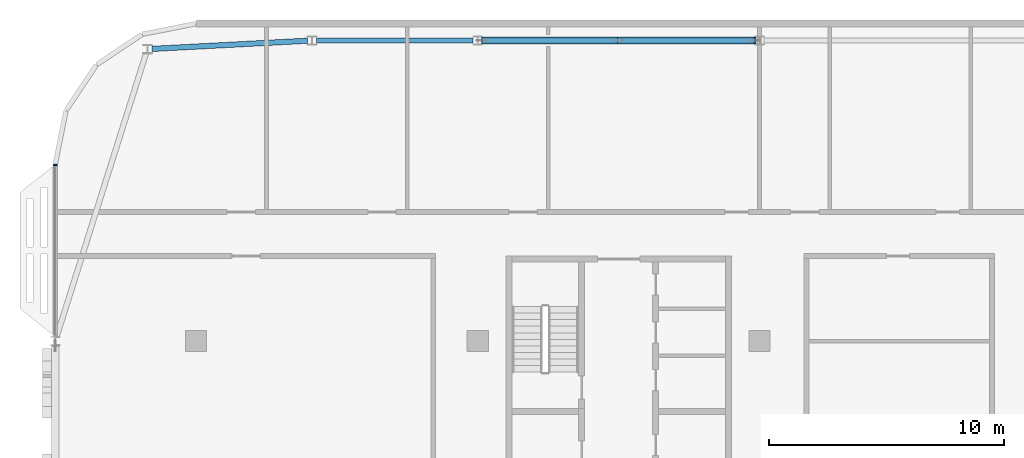
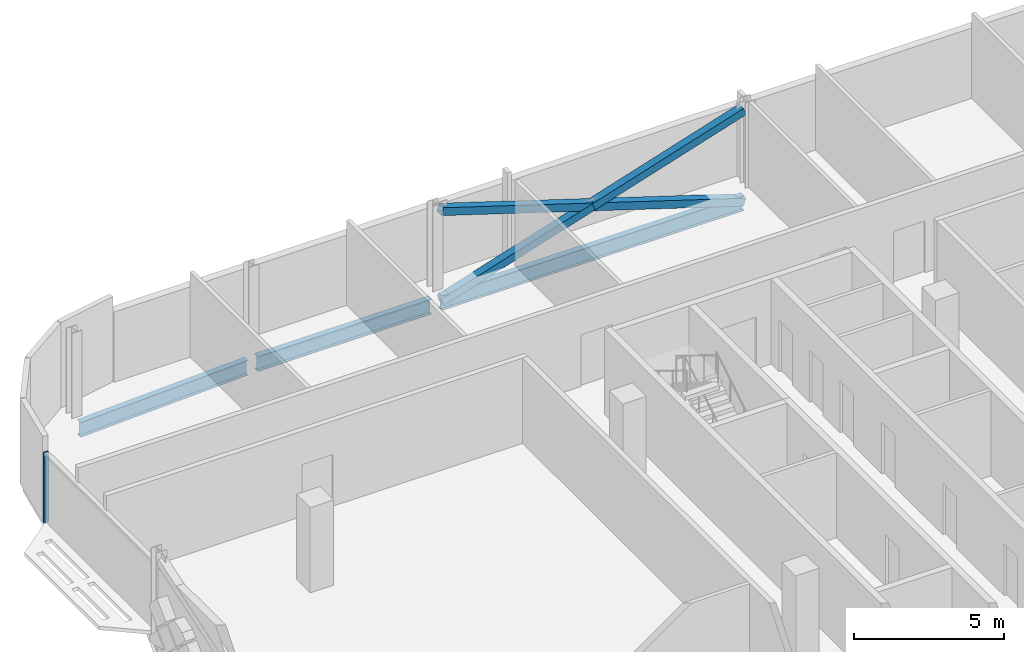
# One storey, part 8 of 29: 4 members, 3 beams, 1 element without a shape of its own.
"""IFC4 building model written with IfcOpenShell, lengths in metres."""

from ifc_helpers import new_model, si_unit, direction, frame, origin, origin_2d, place, context, subcontext, project, spatial, rectangle, hollow_rectangle, i_section, extrude, material, material_profile, profile_set, type_object, element, aggregate, save


model = new_model("IFC4")

# Units and contexts
model_context = context("Model", 3, precision=1e-05, world=origin(), true_north=direction((0.0, 1.0)))
body_context = subcontext(model_context, "Body", "Model", "MODEL_VIEW")
ifc_project = project(units=[si_unit("LENGTHUNIT", "METRE"), si_unit("AREAUNIT", "SQUARE_METRE"), si_unit("VOLUMEUNIT", "CUBIC_METRE"), si_unit("PLANEANGLEUNIT", "RADIAN"), si_unit("MASSUNIT", "GRAM", prefix="KILO")], contexts=[model_context])

# Site, building, storey
site_placement = place(None, origin())
site = spatial("IfcSite", under=ifc_project, at=site_placement, CompositionType="ELEMENT")
building_placement = place(site_placement, origin())
building = spatial("IfcBuilding", under=site, at=building_placement, Name="Mahtab Terrace Research Tower", CompositionType="ELEMENT")
storey_placement = place(building_placement, frame((0.0, 0.0, 274.699951171875)))
storey = spatial("IfcBuildingStorey", under=building, at=storey_placement, Name="L67", CompositionType="ELEMENT", Elevation=274.699951171875)

# Members
ifc_material_1 = material(Name="Steel ASTM A500 Gr C", Category="steel")
ifc_material_profile_1 = material_profile(ifc_material_1, hollow_rectangle(XDim=0.3046875, YDim=0.3046875, WallThickness=0.015869140625, at=origin_2d()), Name="HSS12X12X5/8")
ifc_profile_set_1 = profile_set([ifc_material_profile_1], Name="Steel ASTM A500 Gr C")
member_type_1 = type_object("IfcMemberType", Name="HSS 12x12x5/8 brace XB121258", PredefinedType="BRACE", material=ifc_profile_set_1)
member_1_placement = place(storey_placement, frame((-18.19677734375, 24.306884765625, -0.5810546875), z_axis=(-0.953344149173, 0.0, 0.301885629399), x_axis=(0.0, -1.0, 0.0)))
element("IfcMember", 1, at=member_1_placement, inside=storey, type_object=member_type_1, Name="Exoskeleton brace L67 07 a", PredefinedType="BRACE", context=body_context, shape_type="SweptSolid", body=[
    extrude(hollow_rectangle(XDim=0.3046875, YDim=0.3046875, WallThickness=0.015869140625, at=origin_2d()), origin(), (0.0, 0.0, 1.0), 12.174560546875),
])
for number, where, z_axis, x_axis, name in (
    (2, (-29.80322265625, 24.306884765625, -0.5810546875), (0.953344149173, 0.0, 0.301885629399), (0.0, 1.0, 0.0), "Exoskeleton brace L67 07 b1"),
    (3, (-24.0, 24.306884765625, 1.256591796875), (0.953344149173, 0.0, 0.301885629399), (0.0, 1.0, 0.0), "Exoskeleton brace L67 07 b2"),
):
    element("IfcMember", number, at=place(storey_placement, frame(where, z_axis=z_axis, x_axis=x_axis)), inside=storey, type_object=member_type_1, Name=name, PredefinedType="BRACE", context=body_context, shape_type="SweptSolid", body=[
        extrude(hollow_rectangle(XDim=0.3046875, YDim=0.3046875, WallThickness=0.015869140625, at=origin_2d()), origin(), (0.0, 0.0, 1.0), 6.087158203125),
    ])

# Curtain wall, member
ifc_material_2 = material(Name="Office ribbon curtain wall")
curtain_wall_type = type_object("IfcCurtainWallType", Name="Office ribbon curtain wall", PredefinedType="NOTDEFINED", material=ifc_material_2)
curtain_wall_placement = place(storey_placement, origin())
curtain_wall = element("IfcCurtainWall", 4, at=curtain_wall_placement, inside=storey, type_object=curtain_wall_type, Name="EN.L67.8.8", PredefinedType="NOTDEFINED")
ifc_material_3 = material(Name="Natural anodised aluminium", Category="aluminium")
ifc_material_profile_2 = material_profile(ifc_material_3, rectangle(XDim=0.179931640625, YDim=0.06005859375, at=origin_2d()), Name="MULLION 60x180")
ifc_profile_set_2 = profile_set([ifc_material_profile_2], Name="Natural anodised aluminium")
member_type_2 = type_object("IfcMemberType", Name="Office ribbon curtain wall mullion", PredefinedType="MULLION", material=ifc_profile_set_2)
member_2_placement = place(storey_placement, frame((-48.0, 18.9990234375, 0.0), z_axis=(0.0, 0.0, 1.0), x_axis=(1.0, 0.0, 0.0)))
member_2 = element("IfcMember", 5, at=member_2_placement, type_object=member_type_2, Name="CWO-8 mullion 1", PredefinedType="MULLION", context=body_context, shape_type="SweptSolid", body=[
    extrude(rectangle(XDim=0.179931640625, YDim=0.06005859375, at=origin_2d()), origin(), (0.0, 0.0, 1.0), 2.85302734375),
])
aggregate(curtain_wall, [member_2])

# Beams
ifc_material_4 = material(Name="Steel ASTM A992 Gr 50", Category="steel")
ifc_material_profile_3 = material_profile(ifc_material_4, i_section(OverallWidth=0.228271484375, OverallDepth=0.607177734375, WebThickness=0.01123046875, FlangeThickness=0.017333984375, at=origin_2d()), Name="W24X76")
ifc_profile_set_3 = profile_set([ifc_material_profile_3], Name="Steel ASTM A992 Gr 50")
beam_type = type_object("IfcBeamType", Name="W24x76 beam BS2476", PredefinedType="BEAM", material=ifc_profile_set_3)
beam_1_placement = place(storey_placement, frame((-18.19677734375, 24.306884765625, -0.6435546875), z_axis=(-1.0, 0.0, 0.0), x_axis=(0.0, -1.0, 0.0)))
element("IfcBeam", 6, at=beam_1_placement, inside=storey, type_object=beam_type, Name="Spandrel beam L67 07", PredefinedType="BEAM", context=body_context, shape_type="SweptSolid", body=[
    extrude(i_section(OverallWidth=0.228271484375, OverallDepth=0.607177734375, WebThickness=0.01123046875, FlangeThickness=0.017333984375, at=origin_2d()), origin(), (0.0, 0.0, 1.0), 11.6064453125),
])
beam_2_placement = place(storey_placement, frame((-30.19677734375, 24.306884765625, -0.6435546875), z_axis=(-1.0, 0.0, 0.0), x_axis=(0.0, -1.0, 0.0)))
element("IfcBeam", 7, at=beam_2_placement, inside=storey, type_object=beam_type, Name="Spandrel beam L67 08", PredefinedType="BEAM", context=body_context, shape_type="SweptSolid", body=[
    extrude(i_section(OverallWidth=0.228271484375, OverallDepth=0.607177734375, WebThickness=0.01123046875, FlangeThickness=0.017333984375, at=origin_2d()), origin(), (0.0, 0.0, 1.0), 6.664306640625),
])
beam_3_placement = place(storey_placement, frame((-37.2548828125, 24.296630859375, -0.6435546875), z_axis=(-0.998610495128, -0.052697998249, 0.0), x_axis=(0.052697998249, -0.998610495128, 0.0)))
element("IfcBeam", 8, at=beam_3_placement, inside=storey, type_object=beam_type, Name="Spandrel beam L67 09", PredefinedType="BEAM", context=body_context, shape_type="SweptSolid", body=[
    extrude(i_section(OverallWidth=0.228271484375, OverallDepth=0.607177734375, WebThickness=0.01123046875, FlangeThickness=0.017333984375, at=origin_2d()), origin(), (0.0, 0.0, 1.0), 6.629638671875),
])

save(model, "model.ifc")
